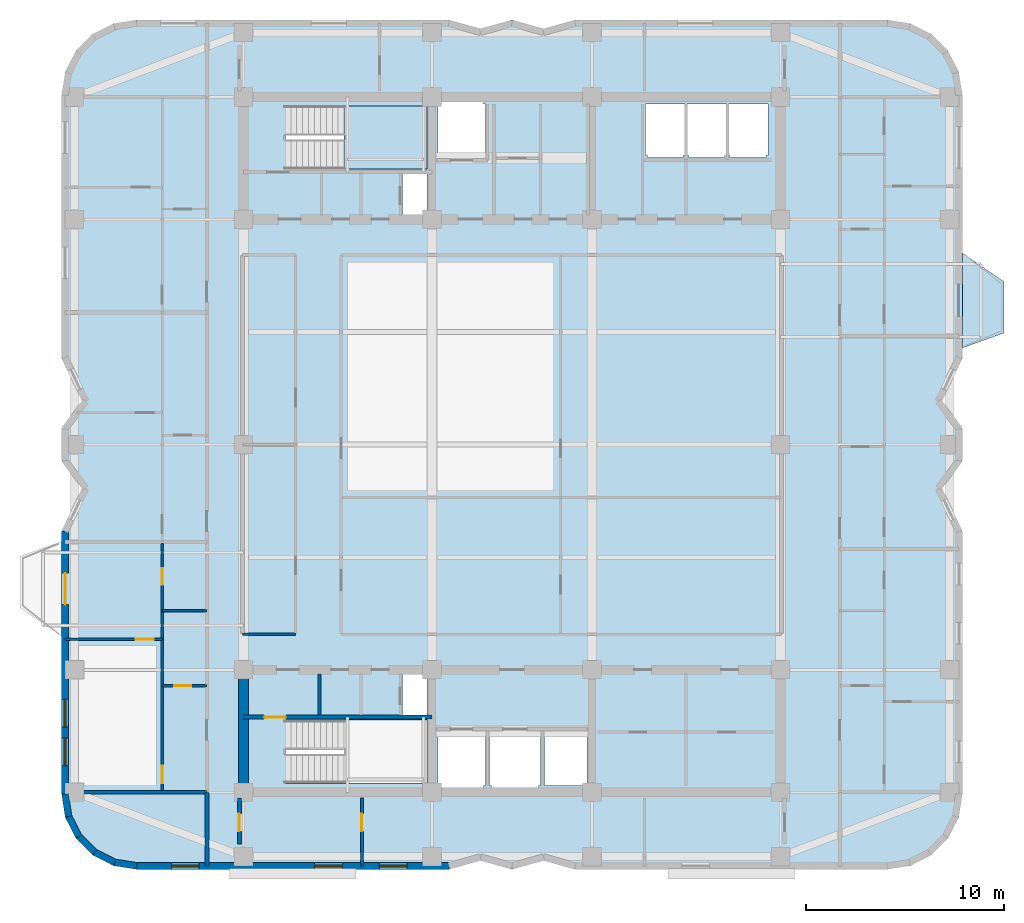
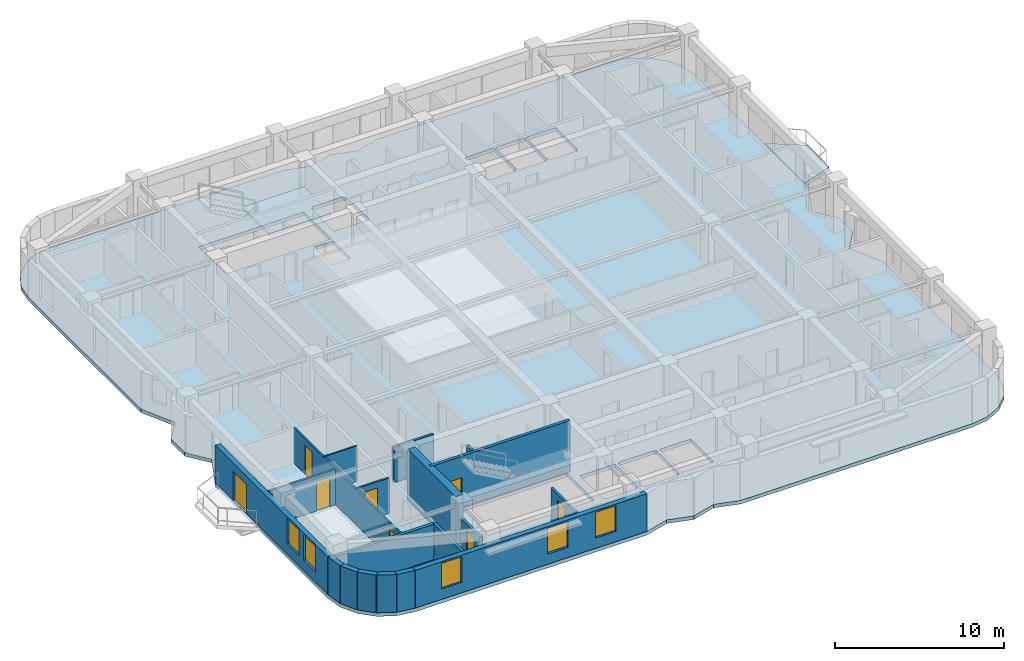
# One storey, part 2 of 10: 19 walls, 8 doors, 5 windows, 3 slabs, 13 openings, 1 element without a shape of its own.
"""IFC4 building model written with IfcOpenShell, lengths in metres."""

import ifcopenshell
import ifcopenshell.guid

model = None  # the IFC model being written
_history = None  # IfcOwnerHistory: only IFC2X3 demands one
_inside = {}  # id of a spatial element -> (the spatial element, [elements in it])
_under = {}  # id of a project, library or spatial element -> (it, [spatial elements below it])
_declared = {}  # id of a project -> (the project, [libraries it declares])
_typed = {}  # id of a type object -> (the type object, [elements of that type])
_made_of = {}  # id of a material, layer set ... -> (it, [elements and type objects made of it])


def new_model(schema):
    """Start an empty IFC model of exactly this schema.

    Asked for "IFC4X3", IfcOpenShell would pick the latest addendum, in which some entities
    have other attributes; the version numbers below select the first issue.
    IFC2X3 requires an IfcOwnerHistory on every rooted entity: one is made here for all.
    """
    global model, _history
    if schema == "IFC4X3":
        model = ifcopenshell.file(schema_version=(4, 3, 0, 0))
    else:
        model = ifcopenshell.file(schema=schema)
    _inside.clear()
    _under.clear()
    _declared.clear()
    _typed.clear()
    _made_of.clear()
    _history = None
    if model.schema == "IFC2X3":
        org = make("IfcOrganization", Name="unknown")
        user = make(
            "IfcPersonAndOrganization",
            ThePerson=make("IfcPerson", FamilyName="unknown"),
            TheOrganization=org,
        )
        app = make(
            "IfcApplication",
            ApplicationDeveloper=org,
            Version="unknown",
            ApplicationFullName="unknown",
            ApplicationIdentifier="unknown",
        )
        _history = make(
            "IfcOwnerHistory",
            OwningUser=user,
            OwningApplication=app,
            ChangeAction="ADDED",
            CreationDate=0,
        )
    return model


def make(cls, **values):
    """One entity of the class cls with the attributes given. An attribute that is None is left unset."""
    return model.create_entity(
        cls, **{name: value for name, value in values.items() if value is not None}
    )


def rooted(cls, **values):
    """An entity with a GlobalId (a new one), such as an element, a storey or a relation."""
    return make(cls, GlobalId=ifcopenshell.guid.new(), OwnerHistory=_history, **values)


def si_unit(unit_type, name, prefix=None):
    """IfcSIUnit, for example si_unit("LENGTHUNIT", "METRE", prefix="MILLI")."""
    return make("IfcSIUnit", UnitType=unit_type, Prefix=prefix, Name=name)


def assignment(units):
    """IfcUnitAssignment: the units of a project."""
    return None if units is None else make("IfcUnitAssignment", Units=units)


def point(xyz):
    """IfcCartesianPoint."""
    return None if xyz is None else make("IfcCartesianPoint", Coordinates=xyz)


def direction(xyz):
    """IfcDirection."""
    return None if xyz is None else make("IfcDirection", DirectionRatios=xyz)


def frame(location, z_axis=None, x_axis=None):
    """IfcAxis2Placement3D, a coordinate frame: its origin and axes. An axis left out is left unset."""
    return make(
        "IfcAxis2Placement3D",
        Location=point(location),
        Axis=direction(z_axis),
        RefDirection=direction(x_axis),
    )


def frame_2d(location, x_axis=None):
    """IfcAxis2Placement2D, a coordinate frame in the plane: its origin and x axis."""
    return make(
        "IfcAxis2Placement2D", Location=point(location), RefDirection=direction(x_axis)
    )


def origin():
    """The frame at (0, 0, 0) with its axes left unset."""
    return frame((0.0, 0.0, 0.0))


def place(relative_to, where):
    """IfcLocalPlacement: puts the frame where relative to a parent placement (None: the world)."""
    return make(
        "IfcLocalPlacement", PlacementRelTo=relative_to, RelativePlacement=where
    )


def context(
    kind, dimensions, precision=None, world=None, true_north=None, identifier=None
):
    """IfcGeometricRepresentationContext, for example the 3D "Model" context."""
    return make(
        "IfcGeometricRepresentationContext",
        ContextIdentifier=identifier,
        ContextType=kind,
        CoordinateSpaceDimension=dimensions,
        Precision=precision,
        WorldCoordinateSystem=world,
        TrueNorth=true_north,
    )


def subcontext(parent, identifier, kind, view, scale=None):
    """IfcGeometricRepresentationSubContext, for example "Body" below "Model"."""
    return make(
        "IfcGeometricRepresentationSubContext",
        ContextIdentifier=identifier,
        ContextType=kind,
        ParentContext=parent,
        TargetScale=scale,
        TargetView=view,
    )


def project(units=None, contexts=None):
    """IfcProject with its units and contexts."""
    return rooted(
        "IfcProject",
        Name="project",
        RepresentationContexts=contexts,
        UnitsInContext=assignment(units),
    )


def spatial(cls, under=None, at=None, **own):
    """A site, building, storey or space (cls), placed at a placement, below another one or the project."""
    s = rooted(cls, ObjectPlacement=at, **own)
    if under is not None:
        _under.setdefault(under.id(), (under, []))[1].append(s)
    return s


def polyline(points):
    """IfcPolyline through the points."""
    return make("IfcPolyline", Points=[point(p) for p in points])


def profile(cls, at=None, kind="AREA", **sizes):
    """A parametric profile (cls). Its sizes go by their IFC names, for example OverallWidth=200.0."""
    return make(cls, ProfileType=kind, Position=at, **sizes)


def rectangle(**sizes):
    """IfcRectangleProfileDef."""
    return profile("IfcRectangleProfileDef", **sizes)


def outline(outer, holes=None, kind="AREA"):
    """IfcArbitraryClosedProfileDef: a profile drawn as a closed curve; with holes, ...WithVoids."""
    if holes is None:
        return make("IfcArbitraryClosedProfileDef", ProfileType=kind, OuterCurve=outer)
    return make(
        "IfcArbitraryProfileDefWithVoids",
        ProfileType=kind,
        OuterCurve=outer,
        InnerCurves=holes,
    )


def extrude(swept, where, along, depth):
    """IfcExtrudedAreaSolid: the profile swept, set in the frame where, extruded along a direction by depth."""
    return make(
        "IfcExtrudedAreaSolid",
        SweptArea=swept,
        Position=where,
        ExtrudedDirection=direction(along),
        Depth=depth,
    )


def shape(context_of_items, identifier, shape_type, items):
    """IfcShapeRepresentation: the items that make up one representation, for example the "Body"."""
    return make(
        "IfcShapeRepresentation",
        ContextOfItems=context_of_items,
        RepresentationIdentifier=identifier,
        RepresentationType=shape_type,
        Items=items,
    )


def material(Name=None, Category=None):
    """IfcMaterial."""
    return make("IfcMaterial", Name=Name, Category=Category)


def layer(
    of_material, thickness, ventilated=None, Name=None, Category=None, Priority=None
):
    """IfcMaterialLayer: one layer of a wall or slab, of a material (None: an air gap)."""
    return make(
        "IfcMaterialLayer",
        Material=of_material,
        LayerThickness=thickness,
        IsVentilated=ventilated,
        Name=Name,
        Category=Category,
        Priority=Priority,
    )


def layer_set(layers, Name=None):
    """IfcMaterialLayerSet."""
    return make("IfcMaterialLayerSet", MaterialLayers=layers, LayerSetName=Name)


def made_of(thing, what):
    """Note that an element or type object is made of a material, layer set ...; save() writes the relation."""
    if what is not None:
        _made_of.setdefault(what.id(), (what, []))[1].append(thing)
    return thing


def type_object(cls, material=None, **own):
    """A type object (cls), such as IfcWallType, which elements share."""
    return made_of(rooted(cls, **own), material)


def element(
    cls,
    number,
    at=None,
    inside=None,
    cuts=None,
    type_object=None,
    material=None,
    context=None,
    identifier="Body",
    shape_type=None,
    held_by="IfcProductDefinitionShape",
    body=None,
    shapes=None,
    **own,
):
    """One element of the class cls, such as IfcWall. Its Tag is "e" and its number.

    at: its placement. inside: the storey or other place that contains it. cuts: it is an
    opening in that element (IfcRelVoidsElement). A single representation is given by context,
    identifier, shape_type and body (its items); several are given by shapes. held_by: the class
    of the entity that holds the representations. save() writes the other relations.
    """
    e = rooted(cls, Tag="e%d" % number, ObjectPlacement=at, **own)
    if body is not None:
        shapes = [shape(context, identifier, shape_type, body)]
    if shapes is not None:
        e.Representation = make(held_by, Representations=shapes)
    if inside is not None:
        _inside.setdefault(inside.id(), (inside, []))[1].append(e)
    if cuts is not None:
        rooted(
            "IfcRelVoidsElement", RelatingBuildingElement=cuts, RelatedOpeningElement=e
        )
    if type_object is not None:
        _typed.setdefault(type_object.id(), (type_object, []))[1].append(e)
    return made_of(e, material)


def fill(opening, filler):
    """IfcRelFillsElement: the door or window that sits in an opening."""
    return rooted(
        "IfcRelFillsElement",
        RelatingOpeningElement=opening,
        RelatedBuildingElement=filler,
    )


def aggregate(whole, parts):
    """IfcRelAggregates: a whole, such as a stair, and the parts it consists of."""
    return rooted("IfcRelAggregates", RelatingObject=whole, RelatedObjects=parts)


def save(model, path):
    """Write the relations noted so far, then the file.

    IfcRelAggregates (storeys below a building ...), IfcRelContainedInSpatialStructure (elements
    in a storey), IfcRelDefinesByType, IfcRelAssociatesMaterial and IfcRelDeclares: one each for
    every whole, place, type object, material and project.
    """
    for whole, parts in _under.values():
        aggregate(whole, parts)
    for where, things in _inside.values():
        rooted(
            "IfcRelContainedInSpatialStructure",
            RelatedElements=things,
            RelatingStructure=where,
        )
    for kind, things in _typed.values():
        rooted("IfcRelDefinesByType", RelatedObjects=things, RelatingType=kind)
    for what, things in _made_of.values():
        rooted("IfcRelAssociatesMaterial", RelatedObjects=things, RelatingMaterial=what)
    for by, libraries in _declared.values():
        rooted("IfcRelDeclares", RelatingContext=by, RelatedDefinitions=libraries)
    model.write(path)


model = new_model("IFC4")

# Units and contexts
model_context = context("Model", 3, precision=1e-05, world=origin(), true_north=direction((0.0, 1.0)))
body_context = subcontext(model_context, "Body", "Model", "MODEL_VIEW")
ifc_project = project(units=[si_unit("LENGTHUNIT", "METRE"), si_unit("AREAUNIT", "SQUARE_METRE"), si_unit("VOLUMEUNIT", "CUBIC_METRE"), si_unit("PLANEANGLEUNIT", "RADIAN"), si_unit("MASSUNIT", "GRAM", prefix="KILO")], contexts=[model_context])

# Site, building, storey
site_placement = place(None, origin())
site = spatial("IfcSite", under=ifc_project, at=site_placement, CompositionType="ELEMENT")
building_placement = place(site_placement, origin())
building = spatial("IfcBuilding", under=site, at=building_placement, Name="Svetorya Sky Lyceum", CompositionType="ELEMENT")
storey_placement = place(building_placement, frame((0.0, 0.0, 188.5)))
storey = spatial("IfcBuildingStorey", under=building, at=storey_placement, Name="L47", CompositionType="ELEMENT", Elevation=188.5)

# Slab
ifc_material_1 = material(Name="Concrete C40/50", Category="concrete")
ifc_layer_1 = layer(ifc_material_1, 0.260009765625)
ifc_layer_set_1 = layer_set([ifc_layer_1], Name="Concrete C40/50")
slab_type_1 = type_object("IfcSlabType", Name="SL-BAL-260", PredefinedType="FLOOR", material=ifc_layer_set_1)
slab_1_placement = place(storey_placement, frame((0.0, 0.0, -0.260009765625)))
element("IfcSlab", 1, at=slab_1_placement, inside=storey, type_object=slab_type_1, Name="L47 Chamfered Loggia Balcony BAL-E1", PredefinedType="FLOOR", context=body_context, shape_type="SweptSolid", body=[
    extrude(outline(polyline([(62.010009765625, 33.10009765625), (64.110107421875, 33.85009765625), (64.110107421875, 36.449951171875), (62.010009765625, 37.89990234375), (62.010009765625, 33.10009765625)])), origin(), (0.0, 0.0, 1.0), 0.260009765625),
])

# Stair, slab
stair_type = type_object("IfcStairType", Name="STR-ST-N", PredefinedType="HALF_TURN_STAIR", material=ifc_material_1)
stair_placement = place(storey_placement, origin())
stair = element("IfcStair", 2, at=stair_placement, inside=storey, type_object=stair_type, Name="L47 North Core Smoke-Free Exit Stair N3", PredefinedType="HALF_TURN_STAIR")
ifc_layer_2 = layer(ifc_material_1, 0.199951171875)
ifc_layer_set_2 = layer_set([ifc_layer_2], Name="Concrete C40/50")
slab_type_2 = type_object("IfcSlabType", Name="SL-STR-LAND-200", PredefinedType="LANDING", material=ifc_layer_set_2)
slab_2_placement = place(storey_placement, frame((0.0, 0.0, 1.64990234375)))
slab_2 = element("IfcSlab", 3, at=slab_2_placement, type_object=slab_type_2, Name="ST-N landing 1", PredefinedType="LANDING", context=body_context, shape_type="SweptSolid", body=[
    extrude(outline(polyline([(30.699951171875, 42.14990234375), (34.89990234375, 42.14990234375), (34.89990234375, 45.35009765625), (30.699951171875, 45.35009765625), (30.699951171875, 42.14990234375)])), origin(), (0.0, 0.0, 1.0), 0.2001953125),
])
aggregate(stair, [slab_2])

# Slab
ifc_material_2 = material(Name="Concrete C50/60", Category="concrete")
ifc_layer_3 = layer(ifc_material_2, 0.260009765625)
ifc_layer_set_3 = layer_set([ifc_layer_3], Name="Concrete C50/60")
slab_type_3 = type_object("IfcSlabType", Name="SL-TWR-260", PredefinedType="FLOOR", material=ifc_layer_set_3)
slab_3_placement = place(storey_placement, frame((0.0, 0.0, -0.260009765625)))
element("IfcSlab", 4, at=slab_3_placement, inside=storey, type_object=slab_type_3, Name="L47 Structural Floor Slab", PredefinedType="FLOOR", context=body_context, shape_type="SweptSolid", body=[
    extrude(outline(polyline([(16.39990234375, 10.5), (16.5859375, 9.32568359375), (17.125732421875, 8.266357421875), (17.96630859375, 7.42578125), (19.025634765625, 6.885986328125), (20.199951171875, 6.699951171875), (36.0, 6.699951171875), (37.60009765625, 7.14990234375), (39.199951171875, 6.699951171875), (40.800048828125, 7.14990234375), (42.39990234375, 6.699951171875), (58.199951171875, 6.699951171875), (59.374267578125, 6.885986328125), (60.43359375, 7.42578125), (61.2744140625, 8.266357421875), (61.81396484375, 9.32568359375), (62.0, 10.5), (62.0, 23.800048828125), (60.949951171875, 26.0), (62.0, 27.39990234375), (62.0, 29.0), (60.949951171875, 30.39990234375), (62.0, 32.60009765625), (62.0, 45.89990234375), (61.81396484375, 47.07421875), (61.2744140625, 48.133544921875), (60.43359375, 48.974365234375), (59.374267578125, 49.513916015625), (58.199951171875, 49.699951171875), (42.39990234375, 49.699951171875), (40.800048828125, 49.25), (39.199951171875, 49.699951171875), (37.60009765625, 49.25), (36.0, 49.699951171875), (20.199951171875, 49.699951171875), (19.025634765625, 49.513916015625), (17.96630859375, 48.974365234375), (17.125732421875, 48.133544921875), (16.5859375, 47.07421875), (16.39990234375, 45.89990234375), (16.39990234375, 32.60009765625), (17.449951171875, 30.39990234375), (16.39990234375, 29.0), (16.39990234375, 27.39990234375), (17.449951171875, 26.0), (16.39990234375, 23.800048828125), (16.39990234375, 10.5)]), holes=[polyline([(37.85009765625, 10.949951171875), (37.75, 10.949951171875), (37.75, 10.85009765625), (35.550048828125, 10.85009765625), (35.550048828125, 10.949951171875), (35.449951171875, 10.949951171875), (35.449951171875, 13.64990234375), (35.550048828125, 13.64990234375), (37.75, 13.64990234375), (37.85009765625, 13.64990234375), (37.85009765625, 10.949951171875)]), polyline([(38.14990234375, 10.800048828125), (38.14990234375, 10.949951171875), (38.050048828125, 10.949951171875), (38.050048828125, 13.64990234375), (38.14990234375, 13.64990234375), (38.14990234375, 13.699951171875), (40.550048828125, 13.699951171875), (40.550048828125, 13.64990234375), (40.64990234375, 13.64990234375), (40.64990234375, 10.949951171875), (40.550048828125, 10.949951171875), (40.550048828125, 10.800048828125), (38.14990234375, 10.800048828125)]), polyline([(27.719970703125, 11.050048828125), (27.719970703125, 14.25), (34.89990234375, 14.25), (34.89990234375, 11.050048828125), (27.719970703125, 11.050048828125)]), polyline([(33.64990234375, 14.52001953125), (33.64990234375, 16.580078125), (34.89990234375, 16.580078125), (34.89990234375, 14.52001953125), (33.64990234375, 14.52001953125)]), polyline([(33.64990234375, 39.820068359375), (33.64990234375, 41.89990234375), (34.89990234375, 41.89990234375), (34.89990234375, 39.820068359375), (33.64990234375, 39.820068359375)]), polyline([(27.719970703125, 42.14990234375), (27.719970703125, 45.35009765625), (34.89990234375, 45.35009765625), (34.89990234375, 42.14990234375), (27.719970703125, 42.14990234375)]), polyline([(37.75, 42.75), (35.550048828125, 42.75), (35.449951171875, 42.75), (35.449951171875, 45.449951171875), (35.550048828125, 45.449951171875), (35.550048828125, 45.550048828125), (37.75, 45.550048828125), (37.75, 45.449951171875), (37.85009765625, 45.449951171875), (37.85009765625, 42.75), (37.75, 42.75)]), polyline([(40.85009765625, 10.949951171875), (40.85009765625, 13.64990234375), (43.0, 13.64990234375), (43.0, 10.949951171875), (40.85009765625, 10.949951171875)]), polyline([(46.050048828125, 42.75), (46.050048828125, 42.85009765625), (45.949951171875, 42.85009765625), (45.949951171875, 45.449951171875), (46.050048828125, 45.449951171875), (47.85009765625, 45.449951171875), (47.949951171875, 45.449951171875), (47.949951171875, 42.85009765625), (47.85009765625, 42.85009765625), (47.85009765625, 42.75), (46.050048828125, 42.75)]), polyline([(50.050048828125, 42.85009765625), (49.949951171875, 42.85009765625), (49.949951171875, 42.75), (48.14990234375, 42.75), (48.14990234375, 42.85009765625), (48.050048828125, 42.85009765625), (48.050048828125, 45.449951171875), (48.14990234375, 45.449951171875), (49.949951171875, 45.449951171875), (50.050048828125, 45.449951171875), (50.050048828125, 42.85009765625)]), polyline([(52.14990234375, 42.85009765625), (52.050048828125, 42.85009765625), (52.050048828125, 42.75), (50.25, 42.75), (50.25, 42.85009765625), (50.14990234375, 42.85009765625), (50.14990234375, 45.449951171875), (50.25, 45.449951171875), (52.050048828125, 45.449951171875), (52.14990234375, 45.449951171875), (52.14990234375, 42.85009765625)])]), origin(), (0.0, 0.0, 1.0), 0.260009765625),
])

# Walls
ifc_layer_4 = layer(ifc_material_2, 0.5)
ifc_layer_set_4 = layer_set([ifc_layer_4], Name="Concrete C50/60")
wall_type_1 = type_object("IfcWallType", Name="WL-CORE-500", PredefinedType="SHEAR", material=ifc_layer_set_4)
wall_1_placement = place(storey_placement, frame((25.60009765625, 10.85009765625, 0.0), z_axis=(0.0, 0.0, 1.0), x_axis=(0.0, 1.0, 0.0)))
element("IfcWall", 5, at=wall_1_placement, inside=storey, type_object=wall_type_1, Name="L47 SC West Core Shear Wall", PredefinedType="SHEAR", context=body_context, shape_type="SweptSolid", body=[
    extrude(rectangle(XDim=5.699951171875, YDim=0.5, at=frame_2d((2.85009765625, 0.0))), origin(), (0.0, 0.0, 1.0), 3.699951171875),
])
ifc_material_3 = material(Name="Putilovo limestone rainscreen on autoclaved cellular masonry", Category="masonry")
ifc_layer_5 = layer(ifc_material_3, 0.340087890625)
ifc_layer_set_5 = layer_set([ifc_layer_5], Name="Putilovo limestone rainscreen on autoclaved cellular masonry")
wall_type_2 = type_object("IfcWallType", Name="WL-EXT-340", PredefinedType="SOLIDWALL", material=ifc_layer_set_5)
wall_2_placement = place(storey_placement, frame((16.570068359375, 10.5, 0.0), z_axis=(0.0, 0.0, 1.0), x_axis=(0.156514556949, -0.987675651954, 0.0)))
element("IfcWall", 6, at=wall_2_placement, inside=storey, type_object=wall_type_2, Name="L47 Limestone Exterior Wall 1M", PredefinedType="SOLIDWALL", context=body_context, shape_type="SweptSolid", body=[
    extrude(rectangle(XDim=1.135498046875, YDim=0.340087890625, at=frame_2d((0.56787109375, 0.0))), origin(), (0.0, 0.0, 1.0), 2.719970703125),
])
for number, where, z_axis, x_axis, name in (
    (7, (16.747802734375, 9.37841796875, 0.0), (0.0, 0.0, 1.0), (0.45373580117, -0.891136253744, 0.0), "L47 Limestone Exterior Wall 2M"),
    (8, (17.26318359375, 8.3662109375, 0.0), (0.0, 0.0, 1.0), (0.707214252388, -0.706999293649, 0.0), "L47 Limestone Exterior Wall 3M"),
    (9, (18.06640625, 7.563232421875, 0.0), (0.0, 0.0, 1.0), (0.891005044957, -0.453993402883, 0.0), "L47 Limestone Exterior Wall 4M"),
):
    element("IfcWall", number, at=place(storey_placement, frame(where, z_axis=z_axis, x_axis=x_axis)), inside=storey, type_object=wall_type_2, Name=name, PredefinedType="SOLIDWALL", context=body_context, shape_type="SweptSolid", body=[
        extrude(rectangle(XDim=1.1357421875, YDim=0.340087890625, at=frame_2d((0.56787109375, 0.0))), origin(), (0.0, 0.0, 1.0), 2.719970703125),
    ])
wall_3_placement = place(storey_placement, frame((19.078369140625, 7.047607421875, 0.0), z_axis=(0.0, 0.0, 1.0), x_axis=(0.987708865555, -0.156304820474, 0.0)))
element("IfcWall", 10, at=wall_3_placement, inside=storey, type_object=wall_type_2, Name="L47 Limestone Exterior Wall 5M", PredefinedType="SOLIDWALL", context=body_context, shape_type="SweptSolid", body=[
    extrude(rectangle(XDim=1.135498046875, YDim=0.340087890625, at=frame_2d((0.56787109375, 0.0))), origin(), (0.0, 0.0, 1.0), 2.719970703125),
])

# Wall, openings, windows
wall_4_placement = place(storey_placement, frame((20.199951171875, 6.8701171875, 0.0), z_axis=(0.0, 0.0, 1.0), x_axis=(1.0, 0.0, 0.0)))
wall_4 = element("IfcWall", 11, at=wall_4_placement, inside=storey, type_object=wall_type_2, Name="L47 Limestone Exterior Wall 6M", PredefinedType="SOLIDWALL", context=body_context, shape_type="SweptSolid", body=[
    extrude(rectangle(XDim=15.800048828125, YDim=0.340087890625, at=frame_2d((7.89990234375, 0.0))), origin(), (0.0, 0.0, 1.0), 2.719970703125),
])
opening_1_placement = place(wall_4_placement, frame((1.762451171875, 0.0, 0.75)))
opening_1 = element("IfcOpeningElement", 12, at=opening_1_placement, cuts=wall_4, Name="Opening W-R2", PredefinedType="OPENING", context=body_context, shape_type="SweptSolid", body=[
    extrude(rectangle(XDim=1.39990234375, YDim=1.85009765625, at=frame_2d((0.699951171875, 0.925048828125))), frame((0.0, 0.179931640625, 0.0), z_axis=(0.0, -1.0, 0.0), x_axis=(1.0, 0.0, 0.0)), (0.0, 0.0, 1.0), 0.360107421875),
])
opening_2_placement = place(wall_4_placement, frame((9.012451171875, 0.0, 0.75)))
opening_2 = element("IfcOpeningElement", 13, at=opening_2_placement, cuts=wall_4, Name="Opening W-R2", PredefinedType="OPENING", context=body_context, shape_type="SweptSolid", body=[
    extrude(rectangle(XDim=1.39990234375, YDim=1.85009765625, at=frame_2d((0.699951171875, 0.925048828125))), frame((0.0, 0.179931640625, 0.0), z_axis=(0.0, -1.0, 0.0), x_axis=(1.0, 0.0, 0.0)), (0.0, 0.0, 1.0), 0.360107421875),
])
opening_3_placement = place(wall_4_placement, frame((12.28759765625, 0.0, 0.75)))
opening_3 = element("IfcOpeningElement", 14, at=opening_3_placement, cuts=wall_4, Name="Opening W-R2", PredefinedType="OPENING", context=body_context, shape_type="SweptSolid", body=[
    extrude(rectangle(XDim=1.39990234375, YDim=1.85009765625, at=frame_2d((0.699951171875, 0.925048828125))), frame((0.0, 0.179931640625, 0.0), z_axis=(0.0, -1.0, 0.0), x_axis=(1.0, 0.0, 0.0)), (0.0, 0.0, 1.0), 0.360107421875),
])
ifc_material_4 = material(Name="Thermally broken aluminium frame with triple low-E glazing", Category="aluminium")
window_type = type_object("IfcWindowType", Name="WN-RES-140", PartitioningType="SINGLE_PANEL", PredefinedType="WINDOW", material=ifc_material_4)
window_1_placement = place(opening_1_placement, origin())
window_1 = element("IfcWindow", 15, at=window_1_placement, inside=storey, type_object=window_type, Name="L47 Facade Window W-R2.6M.1", OverallHeight=1.85009765625, OverallWidth=1.39990234375, PartitioningType="SINGLE_PANEL", PredefinedType="WINDOW", context=body_context, shape_type="SweptSolid", body=[
    extrude(rectangle(XDim=1.39990234375, YDim=1.85009765625, at=frame_2d((0.699951171875, 0.925048828125))), frame((0.0, 0.030029296875, 0.0), z_axis=(0.0, -1.0, 0.0), x_axis=(1.0, 0.0, 0.0)), (0.0, 0.0, 1.0), 0.06005859375),
])
fill(opening_1, window_1)
window_2_placement = place(opening_2_placement, origin())
window_2 = element("IfcWindow", 16, at=window_2_placement, inside=storey, type_object=window_type, Name="L47 Facade Window W-R2.6M.2", OverallHeight=1.85009765625, OverallWidth=1.39990234375, PartitioningType="SINGLE_PANEL", PredefinedType="WINDOW", context=body_context, shape_type="SweptSolid", body=[
    extrude(rectangle(XDim=1.39990234375, YDim=1.85009765625, at=frame_2d((0.699951171875, 0.925048828125))), frame((0.0, 0.030029296875, 0.0), z_axis=(0.0, -1.0, 0.0), x_axis=(1.0, 0.0, 0.0)), (0.0, 0.0, 1.0), 0.06005859375),
])
fill(opening_2, window_2)
window_3_placement = place(opening_3_placement, origin())
window_3 = element("IfcWindow", 17, at=window_3_placement, inside=storey, type_object=window_type, Name="L47 Facade Window W-R2.6M.3", OverallHeight=1.85009765625, OverallWidth=1.39990234375, PartitioningType="SINGLE_PANEL", PredefinedType="WINDOW", context=body_context, shape_type="SweptSolid", body=[
    extrude(rectangle(XDim=1.39990234375, YDim=1.85009765625, at=frame_2d((0.699951171875, 0.925048828125))), frame((0.0, 0.030029296875, 0.0), z_axis=(0.0, -1.0, 0.0), x_axis=(1.0, 0.0, 0.0)), (0.0, 0.0, 1.0), 0.06005859375),
])
fill(opening_3, window_3)

# Wall, openings, door, windows
wall_5_placement = place(storey_placement, frame((16.570068359375, 23.800048828125, 0.0), z_axis=(0.0, 0.0, 1.0), x_axis=(0.0, -1.0, 0.0)))
wall_5 = element("IfcWall", 18, at=wall_5_placement, inside=storey, type_object=wall_type_2, Name="L47 Limestone Exterior Wall 46M", PredefinedType="SOLIDWALL", context=body_context, shape_type="SweptSolid", body=[
    extrude(rectangle(XDim=13.300048828125, YDim=0.340087890625, at=frame_2d((6.64990234375, 0.0))), origin(), (0.0, 0.0, 1.0), 2.719970703125),
])
opening_4_placement = place(wall_5_placement, frame((2.10009765625, 0.0, 0.0)))
opening_4 = element("IfcOpeningElement", 19, at=opening_4_placement, cuts=wall_5, Name="Opening D-BL1", PredefinedType="OPENING", context=body_context, shape_type="SweptSolid", body=[
    extrude(rectangle(XDim=1.60009765625, YDim=2.10009765625, at=frame_2d((0.800048828125, 1.050048828125))), frame((0.0, 0.179931640625, 0.0), z_axis=(0.0, -1.0, 0.0), x_axis=(1.0, 0.0, 0.0)), (0.0, 0.0, 1.0), 0.360107421875),
])
opening_5_placement = place(wall_5_placement, frame((8.5, 0.0, 0.75)))
opening_5 = element("IfcOpeningElement", 20, at=opening_5_placement, cuts=wall_5, Name="Opening W-R2", PredefinedType="OPENING", context=body_context, shape_type="SweptSolid", body=[
    extrude(rectangle(XDim=1.39990234375, YDim=1.85009765625, at=frame_2d((0.699951171875, 0.925048828125))), frame((0.0, 0.179931640625, 0.0), z_axis=(0.0, -1.0, 0.0), x_axis=(1.0, 0.0, 0.0)), (0.0, 0.0, 1.0), 0.360107421875),
])
opening_6_placement = place(wall_5_placement, frame((10.449951171875, 0.0, 0.75)))
opening_6 = element("IfcOpeningElement", 21, at=opening_6_placement, cuts=wall_5, Name="Opening W-R2", PredefinedType="OPENING", context=body_context, shape_type="SweptSolid", body=[
    extrude(rectangle(XDim=1.39990234375, YDim=1.85009765625, at=frame_2d((0.699951171875, 0.925048828125))), frame((0.0, 0.179931640625, 0.0), z_axis=(0.0, -1.0, 0.0), x_axis=(1.0, 0.0, 0.0)), (0.0, 0.0, 1.0), 0.360107421875),
])
ifc_material_5 = material(Name="Insulated glazed aluminium balcony door", Category="aluminium")
door_type_1 = type_object("IfcDoorType", Name="DR-BAL-1600", OperationType="DOUBLE_DOOR_SINGLE_SWING", PredefinedType="DOOR", material=ifc_material_5)
door_1_placement = place(opening_4_placement, origin())
door_1 = element("IfcDoor", 22, at=door_1_placement, inside=storey, type_object=door_type_1, Name="L47 Balcony BAL-W1 Door", OperationType="DOUBLE_DOOR_SINGLE_SWING", OverallHeight=2.10009765625, OverallWidth=1.60009765625, PredefinedType="DOOR", context=body_context, shape_type="SweptSolid", body=[
    extrude(rectangle(XDim=1.60009765625, YDim=2.10009765625, at=frame_2d((0.800048828125, 1.050048828125))), frame((0.0, 0.02490234375, 0.0), z_axis=(0.0, -1.0, 0.0), x_axis=(1.0, 0.0, 0.0)), (0.0, 0.0, 1.0), 0.050048828125),
])
fill(opening_4, door_1)
window_4_placement = place(opening_5_placement, origin())
window_4 = element("IfcWindow", 23, at=window_4_placement, inside=storey, type_object=window_type, Name="L47 Facade Window W-R2.46M.1", OverallHeight=1.85009765625, OverallWidth=1.39990234375, PartitioningType="SINGLE_PANEL", PredefinedType="WINDOW", context=body_context, shape_type="SweptSolid", body=[
    extrude(rectangle(XDim=1.39990234375, YDim=1.85009765625, at=frame_2d((0.699951171875, 0.925048828125))), frame((0.0, 0.030029296875, 0.0), z_axis=(0.0, -1.0, 0.0), x_axis=(1.0, 0.0, 0.0)), (0.0, 0.0, 1.0), 0.06005859375),
])
fill(opening_5, window_4)
window_5_placement = place(opening_6_placement, origin())
window_5 = element("IfcWindow", 24, at=window_5_placement, inside=storey, type_object=window_type, Name="L47 Facade Window W-R2.46M.2", OverallHeight=1.85009765625, OverallWidth=1.39990234375, PartitioningType="SINGLE_PANEL", PredefinedType="WINDOW", context=body_context, shape_type="SweptSolid", body=[
    extrude(rectangle(XDim=1.39990234375, YDim=1.85009765625, at=frame_2d((0.699951171875, 0.925048828125))), frame((0.0, 0.030029296875, 0.0), z_axis=(0.0, -1.0, 0.0), x_axis=(1.0, 0.0, 0.0)), (0.0, 0.0, 1.0), 0.06005859375),
])
fill(opening_6, window_5)

# Wall
ifc_material_6 = material(Name="Galvanized stud partition with moisture-resistant board", Category="gypsum")
ifc_layer_6 = layer(ifc_material_6, 0.10009765625)
ifc_layer_set_6 = layer_set([ifc_layer_6], Name="Galvanized stud partition with moisture-resistant board")
wall_type_3 = type_object("IfcWallType", Name="WL-PART-100", PredefinedType="PARTITIONING", material=ifc_layer_set_6)
wall_6_placement = place(storey_placement, frame((21.5, 19.800048828125, 0.0), z_axis=(0.0, 0.0, 1.0), x_axis=(1.0, 0.0, 0.0)))
element("IfcWall", 25, at=wall_6_placement, inside=storey, type_object=wall_type_3, Name="L47 Interior Partition W1-WH2", PredefinedType="PARTITIONING", context=body_context, shape_type="SweptSolid", body=[
    extrude(rectangle(XDim=2.25, YDim=0.10009765625, at=frame_2d((1.125, 0.0))), origin(), (0.0, 0.0, 1.0), 2.550048828125),
])

# Wall, opening, door
ifc_material_7 = material(Name="Twin-stud galvanized framing with double fireboard", Category="gypsum")
ifc_layer_7 = layer(ifc_material_7, 0.1201171875)
ifc_layer_set_7 = layer_set([ifc_layer_7], Name="Twin-stud galvanized framing with double fireboard")
wall_type_4 = type_object("IfcWallType", Name="WL-PART-120", PredefinedType="PARTITIONING", material=ifc_layer_set_7)
wall_7_placement = place(storey_placement, frame((21.5, 16.0, 0.0), z_axis=(0.0, 0.0, 1.0), x_axis=(1.0, 0.0, 0.0)))
wall_7 = element("IfcWall", 26, at=wall_7_placement, inside=storey, type_object=wall_type_4, Name="L47 Interior Partition W1-WH1", PredefinedType="PARTITIONING", context=body_context, shape_type="SweptSolid", body=[
    extrude(rectangle(XDim=2.25, YDim=0.1201171875, at=frame_2d((1.125, 0.0))), origin(), (0.0, 0.0, 1.0), 2.550048828125),
])
opening_7_placement = place(wall_7_placement, frame((0.60009765625, 0.0, 0.0)))
opening_7 = element("IfcOpeningElement", 27, at=opening_7_placement, cuts=wall_7, Name="Opening D-BT1", PredefinedType="OPENING", context=body_context, shape_type="SweptSolid", body=[
    extrude(rectangle(XDim=0.85009765625, YDim=2.10009765625, at=frame_2d((0.425048828125, 1.050048828125))), frame((0.0, 0.070068359375, 0.0), z_axis=(0.0, -1.0, 0.0), x_axis=(1.0, 0.0, 0.0)), (0.0, 0.0, 1.0), 0.14013671875),
])
ifc_material_8 = material(Name="Moisture-resistant laminate bathroom door")
door_type_2 = type_object("IfcDoorType", Name="DR-WET-850", OperationType="SINGLE_SWING_LEFT", PredefinedType="DOOR", material=ifc_material_8)
door_2_placement = place(opening_7_placement, origin())
door_2 = element("IfcDoor", 28, at=door_2_placement, inside=storey, type_object=door_type_2, Name="Apartment W1 Bathroom Door", OperationType="SINGLE_SWING_LEFT", OverallHeight=2.10009765625, OverallWidth=0.85009765625, PredefinedType="DOOR", context=body_context, shape_type="SweptSolid", body=[
    extrude(rectangle(XDim=0.85009765625, YDim=2.10009765625, at=frame_2d((0.425048828125, 1.050048828125))), frame((0.0, 0.02490234375, 0.0), z_axis=(0.0, -1.0, 0.0), x_axis=(1.0, 0.0, 0.0)), (0.0, 0.0, 1.0), 0.050048828125),
])
fill(opening_7, door_2)

wall_8_placement = place(storey_placement, frame((16.570068359375, 18.35009765625, 0.0), z_axis=(0.0, 0.0, 1.0), x_axis=(1.0, 0.0, 0.0)))
wall_8 = element("IfcWall", 29, at=wall_8_placement, inside=storey, type_object=wall_type_4, Name="L47 Interior Partition W1-WL1", PredefinedType="PARTITIONING", context=body_context, shape_type="SweptSolid", body=[
    extrude(rectangle(XDim=4.929931640625, YDim=0.1201171875, at=frame_2d((2.46484375, 0.0))), origin(), (0.0, 0.0, 1.0), 2.550048828125),
])
opening_8_placement = place(wall_8_placement, frame((3.580078125, 0.0, 0.0)))
opening_8 = element("IfcOpeningElement", 30, at=opening_8_placement, cuts=wall_8, Name="Opening D-RM1", PredefinedType="OPENING", context=body_context, shape_type="SweptSolid", body=[
    extrude(rectangle(XDim=0.89990234375, YDim=2.10009765625, at=frame_2d((0.449951171875, 1.050048828125))), frame((0.0, 0.070068359375, 0.0), z_axis=(0.0, -1.0, 0.0), x_axis=(1.0, 0.0, 0.0)), (0.0, 0.0, 1.0), 0.14013671875),
])
ifc_material_9 = material(Name="Lacquered birch veneer internal door")
door_type_3 = type_object("IfcDoorType", Name="DR-INT-900", OperationType="SINGLE_SWING_LEFT", PredefinedType="DOOR", material=ifc_material_9)
door_3_placement = place(opening_8_placement, origin())
door_3 = element("IfcDoor", 31, at=door_3_placement, inside=storey, type_object=door_type_3, Name="Apartment W1 Bedroom 1 Door", OperationType="SINGLE_SWING_LEFT", OverallHeight=2.10009765625, OverallWidth=0.89990234375, PredefinedType="DOOR", context=body_context, shape_type="SweptSolid", body=[
    extrude(rectangle(XDim=0.89990234375, YDim=2.10009765625, at=frame_2d((0.449951171875, 1.050048828125))), frame((0.0, 0.02490234375, 0.0), z_axis=(0.0, -1.0, 0.0), x_axis=(1.0, 0.0, 0.0)), (0.0, 0.0, 1.0), 0.050048828125),
])
fill(opening_8, door_3)

# Wall, openings, doors
wall_9_placement = place(storey_placement, frame((21.5, 10.639892578125, 0.0), z_axis=(0.0, 0.0, 1.0), x_axis=(0.0, 1.0, 0.0)))
wall_9 = element("IfcWall", 32, at=wall_9_placement, inside=storey, type_object=wall_type_4, Name="L47 Interior Partition W1-WV", PredefinedType="PARTITIONING", context=body_context, shape_type="SweptSolid", body=[
    extrude(rectangle(XDim=12.592041015625, YDim=0.1201171875, at=frame_2d((6.2958984375, 0.0))), origin(), (0.0, 0.0, 1.0), 2.550048828125),
])
opening_9_placement = place(wall_9_placement, frame((0.409912109375, 0.0, 0.0)))
opening_9 = element("IfcOpeningElement", 33, at=opening_9_placement, cuts=wall_9, Name="Opening D-RM1", PredefinedType="OPENING", context=body_context, shape_type="SweptSolid", body=[
    extrude(rectangle(XDim=0.89990234375, YDim=2.10009765625, at=frame_2d((0.449951171875, 1.050048828125))), frame((0.0, 0.070068359375, 0.0), z_axis=(0.0, -1.0, 0.0), x_axis=(1.0, 0.0, 0.0)), (0.0, 0.0, 1.0), 0.14013671875),
])
opening_10_placement = place(wall_9_placement, frame((10.470947265625, 0.0, 0.0)))
opening_10 = element("IfcOpeningElement", 34, at=opening_10_placement, cuts=wall_9, Name="Opening D-BT2", PredefinedType="OPENING", context=body_context, shape_type="SweptSolid", body=[
    extrude(rectangle(XDim=0.820068359375, YDim=2.080078125, at=frame_2d((0.41015625, 1.0400390625))), frame((0.0, 0.070068359375, 0.0), z_axis=(0.0, -1.0, 0.0), x_axis=(1.0, 0.0, 0.0)), (0.0, 0.0, 1.0), 0.14013671875),
])
door_4_placement = place(opening_9_placement, origin())
door_4 = element("IfcDoor", 35, at=door_4_placement, inside=storey, type_object=door_type_3, Name="Apartment W1 Living Door", OperationType="SINGLE_SWING_RIGHT", OverallHeight=2.10009765625, OverallWidth=0.89990234375, PredefinedType="DOOR", context=body_context, shape_type="SweptSolid", body=[
    extrude(rectangle(XDim=0.89990234375, YDim=2.10009765625, at=frame_2d((0.449951171875, 1.050048828125))), frame((0.0, 0.02490234375, 0.0), z_axis=(0.0, -1.0, 0.0), x_axis=(1.0, 0.0, 0.0)), (0.0, 0.0, 1.0), 0.050048828125),
])
fill(opening_9, door_4)
ifc_material_10 = material(Name="Compact moisture-resistant laminate closet door")
door_type_4 = type_object("IfcDoorType", Name="DR-WET-820", OperationType="SINGLE_SWING_LEFT", PredefinedType="DOOR", material=ifc_material_10)
door_5_placement = place(opening_10_placement, origin())
door_5 = element("IfcDoor", 36, at=door_5_placement, inside=storey, type_object=door_type_4, Name="Apartment W1 Study Door", OperationType="SINGLE_SWING_LEFT", OverallHeight=2.080078125, OverallWidth=0.820068359375, PredefinedType="DOOR", context=body_context, shape_type="SweptSolid", body=[
    extrude(rectangle(XDim=0.820068359375, YDim=2.080078125, at=frame_2d((0.41015625, 1.0400390625))), frame((0.0, 0.02490234375, 0.0), z_axis=(0.0, -1.0, 0.0), x_axis=(1.0, 0.0, 0.0)), (0.0, 0.0, 1.0), 0.050048828125),
])
fill(opening_10, door_5)

# Walls
ifc_material_11 = material(Name="Autoclaved cellular masonry blockwork with acoustic render", Category="masonry")
ifc_layer_8 = layer(ifc_material_11, 0.14990234375)
ifc_layer_set_8 = layer_set([ifc_layer_8], Name="Autoclaved cellular masonry blockwork with acoustic render")
wall_type_5 = type_object("IfcWallType", Name="WL-PART-150", PredefinedType="PARTITIONING", material=ifc_layer_set_8)
wall_10_placement = place(storey_placement, frame((29.449951171875, 14.5, 0.0), z_axis=(0.0, 0.0, 1.0), x_axis=(0.0, 1.0, 0.0)))
element("IfcWall", 37, at=wall_10_placement, inside=storey, type_object=wall_type_5, Name="L47 Interior Partition SC-SWD1", PredefinedType="PARTITIONING", context=body_context, shape_type="SweptSolid", body=[
    extrude(rectangle(XDim=2.080078125, YDim=0.14990234375, at=frame_2d((1.0400390625, 0.0))), origin(), (0.0, 0.0, 1.0), 2.550048828125),
])
wall_11_placement = place(storey_placement, frame((25.550048828125, 18.60009765625, 0.0), z_axis=(0.0, 0.0, 1.0), x_axis=(1.0, 0.0, 0.0)))
element("IfcWall", 38, at=wall_11_placement, inside=storey, type_object=wall_type_5, Name="L47 Interior Partition OFF-CS-W", PredefinedType="PARTITIONING", context=body_context, shape_type="SweptSolid", body=[
    extrude(rectangle(XDim=2.699951171875, YDim=0.14990234375, at=frame_2d((1.35009765625, 0.0))), origin(), (0.0, 0.0, 1.0), 2.550048828125),
])

# Wall, opening, door
wall_12_placement = place(storey_placement, frame((31.60009765625, 6.8701171875, 0.0), z_axis=(0.0, 0.0, 1.0), x_axis=(0.0, 1.0, 0.0)))
wall_12 = element("IfcWall", 39, at=wall_12_placement, inside=storey, type_object=wall_type_5, Name="L47 Interior Partition S-D1", PredefinedType="PARTITIONING", context=body_context, shape_type="SweptSolid", body=[
    extrude(rectangle(XDim=3.429931640625, YDim=0.14990234375, at=frame_2d((1.71484375, 0.0))), origin(), (0.0, 0.0, 1.0), 2.550048828125),
])
opening_11_placement = place(wall_12_placement, frame((1.75, 0.0, 0.0)))
opening_11 = element("IfcOpeningElement", 40, at=opening_11_placement, cuts=wall_12, Name="Opening D-RM1", PredefinedType="OPENING", context=body_context, shape_type="SweptSolid", body=[
    extrude(rectangle(XDim=0.89990234375, YDim=2.10009765625, at=frame_2d((0.449951171875, 1.050048828125))), frame((0.0, 0.0849609375, 0.0), z_axis=(0.0, -1.0, 0.0), x_axis=(1.0, 0.0, 0.0)), (0.0, 0.0, 1.0), 0.169921875),
])
door_6_placement = place(opening_11_placement, origin())
door_6 = element("IfcDoor", 41, at=door_6_placement, inside=storey, type_object=door_type_3, Name="L47 South Store Door", OperationType="SINGLE_SWING_LEFT", OverallHeight=2.10009765625, OverallWidth=0.89990234375, PredefinedType="DOOR", context=body_context, shape_type="SweptSolid", body=[
    extrude(rectangle(XDim=0.89990234375, YDim=2.10009765625, at=frame_2d((0.449951171875, 1.050048828125))), frame((0.0, 0.02490234375, 0.0), z_axis=(0.0, -1.0, 0.0), x_axis=(1.0, 0.0, 0.0)), (0.0, 0.0, 1.0), 0.050048828125),
])
fill(opening_11, door_6)

# Walls
ifc_material_12 = material(Name="Autoclaved cellular masonry blockwork with gypsum plaster", Category="masonry")
ifc_layer_9 = layer(ifc_material_12, 0.199951171875)
ifc_layer_set_9 = layer_set([ifc_layer_9], Name="Autoclaved cellular masonry blockwork with gypsum plaster")
wall_type_6 = type_object("IfcWallType", Name="WL-PART-200", PredefinedType="PARTITIONING", material=ifc_layer_set_9)
wall_13_placement = place(storey_placement, frame((16.989990234375, 10.60009765625, 0.0), z_axis=(0.0, 0.0, 1.0), x_axis=(1.0, 0.0, 0.0)))
element("IfcWall", 42, at=wall_13_placement, inside=storey, type_object=wall_type_6, Name="L47 Interior Partition W-CAP-S", PredefinedType="PARTITIONING", context=body_context, shape_type="SweptSolid", body=[
    extrude(rectangle(XDim=6.760009765625, YDim=0.199951171875, at=frame_2d((3.3798828125, 0.0))), origin(), (0.0, 0.0, 1.0), 2.550048828125),
])
wall_14_placement = place(storey_placement, frame((23.75, 6.8701171875, 0.0), z_axis=(0.0, 0.0, 1.0), x_axis=(0.0, 1.0, 0.0)))
element("IfcWall", 43, at=wall_14_placement, inside=storey, type_object=wall_type_6, Name="L47 Interior Partition WC-SW-END", PredefinedType="PARTITIONING", context=body_context, shape_type="SweptSolid", body=[
    extrude(rectangle(XDim=3.72998046875, YDim=0.199951171875, at=frame_2d((1.864990234375, 0.0))), origin(), (0.0, 0.0, 1.0), 2.550048828125),
])

# Wall, opening, door
wall_15_placement = place(storey_placement, frame((25.39990234375, 7.969970703125, 0.0), z_axis=(0.0, 0.0, 1.0), x_axis=(0.0, 1.0, 0.0)))
wall_15 = element("IfcWall", 44, at=wall_15_placement, inside=storey, type_object=wall_type_6, Name="L47 Interior Partition S-EW", PredefinedType="PARTITIONING", context=body_context, shape_type="SweptSolid", body=[
    extrude(rectangle(XDim=2.330078125, YDim=0.199951171875, at=frame_2d((1.1650390625, 0.0))), origin(), (0.0, 0.0, 1.0), 2.550048828125),
])
opening_12_placement = place(wall_15_placement, frame((0.64990234375, 0.0, 0.0)))
opening_12 = element("IfcOpeningElement", 45, at=opening_12_placement, cuts=wall_15, Name="Opening D-RM1", PredefinedType="OPENING", context=body_context, shape_type="SweptSolid", body=[
    extrude(rectangle(XDim=0.89990234375, YDim=2.10009765625, at=frame_2d((0.449951171875, 1.050048828125))), frame((0.0, 0.10986328125, 0.0), z_axis=(0.0, -1.0, 0.0), x_axis=(1.0, 0.0, 0.0)), (0.0, 0.0, 1.0), 0.219970703125),
])
door_7_placement = place(opening_12_placement, origin())
door_7 = element("IfcDoor", 46, at=door_7_placement, inside=storey, type_object=door_type_3, Name="L47 South Study Door", OperationType="SINGLE_SWING_LEFT", OverallHeight=2.10009765625, OverallWidth=0.89990234375, PredefinedType="DOOR", context=body_context, shape_type="SweptSolid", body=[
    extrude(rectangle(XDim=0.89990234375, YDim=2.10009765625, at=frame_2d((0.449951171875, 1.050048828125))), frame((0.0, 0.02490234375, 0.0), z_axis=(0.0, -1.0, 0.0), x_axis=(1.0, 0.0, 0.0)), (0.0, 0.0, 1.0), 0.050048828125),
])
fill(opening_12, door_7)

ifc_layer_10 = layer(ifc_material_2, 0.199951171875)
ifc_layer_set_10 = layer_set([ifc_layer_10], Name="Concrete C50/60")
wall_type_7 = type_object("IfcWallType", Name="WL-SHW-200", PredefinedType="SHEAR", material=ifc_layer_set_10)
wall_16_placement = place(storey_placement, frame((25.60009765625, 14.39990234375, 0.0), z_axis=(0.0, 0.0, 1.0), x_axis=(1.0, 0.0, 0.0)))
wall_16 = element("IfcWall", 47, at=wall_16_placement, inside=storey, type_object=wall_type_7, Name="L47 Structural Stair Shaft Wall SC-STW", PredefinedType="SHEAR", context=body_context, shape_type="SweptSolid", body=[
    extrude(rectangle(XDim=9.5498046875, YDim=0.199951171875, at=frame_2d((4.77490234375, 0.0))), origin(), (0.0, 0.0, 1.0), 3.699951171875),
])
opening_13_placement = place(wall_16_placement, frame((1.050048828125, 0.0, 0.0)))
opening_13 = element("IfcOpeningElement", 48, at=opening_13_placement, cuts=wall_16, Name="Opening D-ST1", PredefinedType="OPENING", context=body_context, shape_type="SweptSolid", body=[
    extrude(rectangle(XDim=1.10009765625, YDim=2.14990234375, at=frame_2d((0.550048828125, 1.074951171875))), frame((0.0, 0.10986328125, 0.0), z_axis=(0.0, -1.0, 0.0), x_axis=(1.0, 0.0, 0.0)), (0.0, 0.0, 1.0), 0.219970703125),
])
ifc_material_13 = material(Name="Powder-coated insulated galvanized stair fire door")
door_type_5 = type_object("IfcDoorType", Name="DR-FIRE-1100", OperationType="SINGLE_SWING_LEFT", PredefinedType="DOOR", material=ifc_material_13)
door_8_placement = place(opening_13_placement, origin())
door_8 = element("IfcDoor", 49, at=door_8_placement, inside=storey, type_object=door_type_5, Name="L47 Stair ST-S Vestibule Fire Door", OperationType="SINGLE_SWING_LEFT", OverallHeight=2.14990234375, OverallWidth=1.10009765625, PredefinedType="DOOR", context=body_context, shape_type="SweptSolid", body=[
    extrude(rectangle(XDim=1.10009765625, YDim=2.14990234375, at=frame_2d((0.550048828125, 1.074951171875))), frame((0.0, 0.02490234375, 0.0), z_axis=(0.0, -1.0, 0.0), x_axis=(1.0, 0.0, 0.0)), (0.0, 0.0, 1.0), 0.050048828125),
])
fill(opening_13, door_8)

save(model, "model.ifc")
